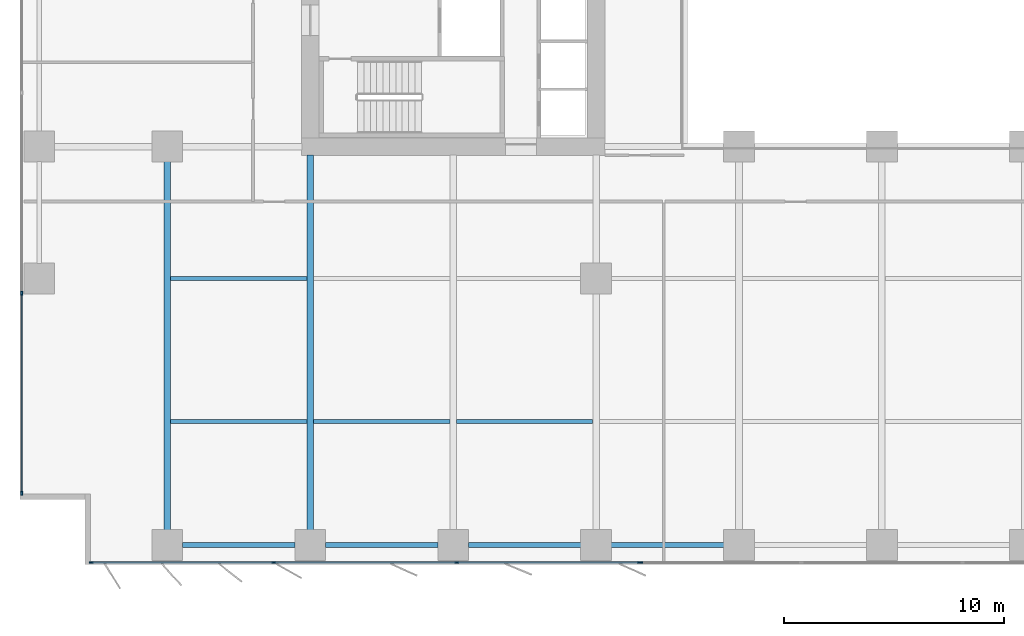
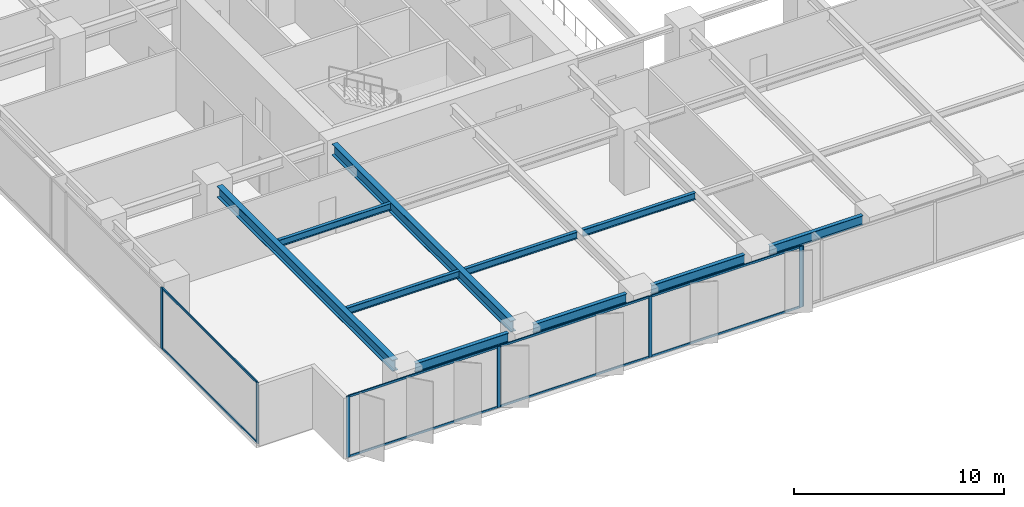
# One storey, part 2 of 20: 15 members, 10 beams, 3 elements without a shape of their own.
"""IFC4 building model written with IfcOpenShell, lengths in metres."""

from ifc_helpers import new_model, si_unit, direction, frame, origin, origin_2d, place, context, subcontext, project, spatial, rectangle, i_section, extrude, material, layer, layer_set, material_profile, profile_set, type_object, element, aggregate, save


model = new_model("IFC4")

# Units and contexts
model_context = context("Model", 3, precision=1e-05, world=origin(), true_north=direction((0.0, 1.0)))
body_context = subcontext(model_context, "Body", "Model", "MODEL_VIEW")
ifc_project = project(units=[si_unit("LENGTHUNIT", "METRE"), si_unit("AREAUNIT", "SQUARE_METRE"), si_unit("VOLUMEUNIT", "CUBIC_METRE"), si_unit("PLANEANGLEUNIT", "RADIAN"), si_unit("MASSUNIT", "GRAM", prefix="KILO")], contexts=[model_context])

# Site, building, storey
site_placement = place(None, origin())
site = spatial("IfcSite", under=ifc_project, at=site_placement, CompositionType="ELEMENT")
building_placement = place(site_placement, origin())
building = spatial("IfcBuilding", under=site, at=building_placement, Name="Putna Gate Headquarters", CompositionType="ELEMENT")
storey_placement = place(building_placement, frame((0.0, 0.0, 50.60009765625)))
storey = spatial("IfcBuildingStorey", under=building, at=storey_placement, Name="L11", CompositionType="ELEMENT", Elevation=50.60009765625)

# Beams
ifc_material_1 = material(Name="Steel S355J2", Category="steel")
ifc_material_profile_1 = material_profile(ifc_material_1, i_section(OverallWidth=0.300048828125, OverallDepth=0.64990234375, WebThickness=0.01611328125, FlangeThickness=0.031005859375, at=origin_2d()), Name="Steel S355J2")
ifc_profile_set_1 = profile_set([ifc_material_profile_1], Name="Steel S355J2")
beam_type_1 = type_object("IfcBeamType", Name="BM-GIRD-Z1-HEB650", PredefinedType="USERDEFINED", material=ifc_profile_set_1)
beam_1_placement = place(storey_placement, frame((6.5, 1.568115234375, 3.224853515625), z_axis=(0.0, 1.0, 0.0), x_axis=(-1.0, 0.0, 0.0)))
element("IfcBeam", 1, at=beam_1_placement, inside=storey, type_object=beam_type_1, Name="L11 South Primary Girder X6", ObjectType="GIRDER", PredefinedType="USERDEFINED", context=body_context, shape_type="SweptSolid", body=[
    extrude(i_section(OverallWidth=0.300048828125, OverallDepth=0.64990234375, WebThickness=0.01611328125, FlangeThickness=0.031005859375, at=origin_2d()), origin(), (0.0, 0.0, 1.0), 16.743896484375),
])
beam_2_placement = place(storey_placement, frame((13.0, 1.568115234375, 3.224853515625), z_axis=(0.0, 1.0, 0.0), x_axis=(-1.0, 0.0, 0.0)))
element("IfcBeam", 2, at=beam_2_placement, inside=storey, type_object=beam_type_1, Name="L11 South Primary Girder X13", ObjectType="GIRDER", PredefinedType="USERDEFINED", context=body_context, shape_type="SweptSolid", body=[
    extrude(i_section(OverallWidth=0.300048828125, OverallDepth=0.64990234375, WebThickness=0.01611328125, FlangeThickness=0.031005859375, at=origin_2d()), origin(), (0.0, 0.0, 1.0), 17.046875),
])
ifc_material_profile_2 = material_profile(ifc_material_1, i_section(OverallWidth=0.179931640625, OverallDepth=0.39990234375, WebThickness=0.008544921875, FlangeThickness=0.013427734375, at=origin_2d()), Name="Steel S355J2")
ifc_profile_set_2 = profile_set([ifc_material_profile_2], Name="Steel S355J2")
beam_type_2 = type_object("IfcBeamType", Name="BM-SEC-Z1-IPE400", PredefinedType="BEAM", material=ifc_profile_set_2)
for number, where, z_axis, x_axis, name in (
    (3, (6.654052734375, 6.5, 3.349853515625), (1.0, 0.0, 0.0), (0.0, 1.0, 0.0), "L11 South Secondary Beam 1"),
    (4, (6.654052734375, 13.0, 3.349853515625), (1.0, 0.0, 0.0), (0.0, 1.0, 0.0), "L11 South Secondary Beam 1"),
    (5, (13.154052734375, 6.5, 3.349853515625), (1.0, 0.0, 0.0), (0.0, 1.0, 0.0), "L11 South Secondary Beam 2"),
    (6, (19.654052734375, 6.5, 3.349853515625), (1.0, 0.0, 0.0), (0.0, 1.0, 0.0), "L11 South Secondary Beam 3"),
):
    element("IfcBeam", number, at=place(storey_placement, frame(where, z_axis=z_axis, x_axis=x_axis)), inside=storey, type_object=beam_type_2, Name=name, PredefinedType="BEAM", context=body_context, shape_type="SweptSolid", body=[
        extrude(i_section(OverallWidth=0.179931640625, OverallDepth=0.39990234375, WebThickness=0.008544921875, FlangeThickness=0.013427734375, at=origin_2d()), origin(), (0.0, 0.0, 1.0), 6.19189453125),
    ])
ifc_material_profile_3 = material_profile(ifc_material_1, i_section(OverallWidth=0.2099609375, OverallDepth=0.550048828125, WebThickness=0.010986328125, FlangeThickness=0.01708984375, at=origin_2d()), Name="Steel S355J2")
ifc_profile_set_3 = profile_set([ifc_material_profile_3], Name="Steel S355J2")
beam_type_3 = type_object("IfcBeamType", Name="BM-SPAN-Z1-IPE550", PredefinedType="SPANDREL", material=ifc_profile_set_3)
for number, where, z_axis, x_axis, name in (
    (7, (7.18798828125, 0.8798828125, 3.27490234375), (1.0, 0.0, 0.0), (0.0, 1.0, 0.0), "L11 S Perimeter Spandrel 1"),
    (8, (13.68798828125, 0.8798828125, 3.27490234375), (1.0, 0.0, 0.0), (0.0, 1.0, 0.0), "L11 S Perimeter Spandrel 2"),
    (9, (20.18798828125, 0.8798828125, 3.27490234375), (1.0, 0.0, 0.0), (0.0, 1.0, 0.0), "L11 S Perimeter Spandrel 3"),
    (10, (26.68798828125, 0.8798828125, 3.27490234375), (1.0, 0.0, 0.0), (0.0, 1.0, 0.0), "L11 S Perimeter Spandrel 4"),
):
    element("IfcBeam", number, at=place(storey_placement, frame(where, z_axis=z_axis, x_axis=x_axis)), inside=storey, type_object=beam_type_3, Name=name, PredefinedType="SPANDREL", context=body_context, shape_type="SweptSolid", body=[
        extrude(i_section(OverallWidth=0.2099609375, OverallDepth=0.550048828125, WebThickness=0.010986328125, FlangeThickness=0.01708984375, at=origin_2d()), origin(), (0.0, 0.0, 1.0), 5.1240234375),
    ])

# Curtain wall, members
ifc_material_2 = material(Name="Anodised bronze aluminium curtain wall", Category="aluminium")
ifc_layer_1 = layer(ifc_material_2, 0.179931640625)
ifc_layer_set_1 = layer_set([ifc_layer_1], Name="Anodised bronze aluminium curtain wall")
curtain_wall_type_1 = type_object("IfcCurtainWallType", Name="CW-SYS-Z1", PredefinedType="USERDEFINED", material=ifc_layer_set_1)
curtain_wall_1_placement = place(storey_placement, origin())
curtain_wall_1 = element("IfcCurtainWall", 11, at=curtain_wall_1_placement, inside=storey, type_object=curtain_wall_type_1, Name="L11 South West Curtain Wall", ObjectType="STICK CURTAIN WALL", PredefinedType="USERDEFINED")
ifc_material_3 = material(Name="Anodised bronze aluminium EN AW-6060", Category="aluminium")
ifc_material_profile_4 = material_profile(ifc_material_3, rectangle(XDim=0.070068359375, YDim=0.179931640625, at=origin_2d()), Name="Anodised bronze aluminium EN AW-6060")
ifc_profile_set_4 = profile_set([ifc_material_profile_4], Name="Anodised bronze aluminium EN AW-6060")
member_type_1 = type_object("IfcMemberType", Name="MULL-CWM-1", PredefinedType="MULLION", material=ifc_profile_set_4)
member_1_placement = place(storey_placement, frame((3.034912109375, 0.080078125, 0.0), z_axis=(0.0, 0.0, 1.0), x_axis=(0.0, 1.0, 0.0)))
member_1 = element("IfcMember", 12, at=member_1_placement, type_object=member_type_1, Name="CWS-1 mullion 1", PredefinedType="MULLION", context=body_context, shape_type="SweptSolid", body=[
    extrude(rectangle(XDim=0.070068359375, YDim=0.179931640625, at=origin_2d()), origin(), (0.0, 0.0, 1.0), 3.5498046875),
])
member_2_placement = place(storey_placement, frame((11.333251953125, 0.080078125, 0.0), z_axis=(0.0, 0.0, 1.0), x_axis=(0.0, 1.0, 0.0)))
member_2 = element("IfcMember", 13, at=member_2_placement, type_object=member_type_1, Name="CWS-1 mullion 2", PredefinedType="MULLION", context=body_context, shape_type="SweptSolid", body=[
    extrude(rectangle(XDim=0.070068359375, YDim=0.179931640625, at=origin_2d()), origin(), (0.0, 0.0, 1.0), 3.5498046875),
])
member_3_placement = place(storey_placement, frame((19.666748046875, 0.080078125, 0.0), z_axis=(0.0, 0.0, 1.0), x_axis=(0.0, 1.0, 0.0)))
member_3 = element("IfcMember", 14, at=member_3_placement, type_object=member_type_1, Name="CWS-1 mullion 3", PredefinedType="MULLION", context=body_context, shape_type="SweptSolid", body=[
    extrude(rectangle(XDim=0.070068359375, YDim=0.179931640625, at=origin_2d()), origin(), (0.0, 0.0, 1.0), 3.5498046875),
])
member_4_placement = place(storey_placement, frame((27.965087890625, 0.080078125, 0.0), z_axis=(0.0, 0.0, 1.0), x_axis=(0.0, 1.0, 0.0)))
member_4 = element("IfcMember", 15, at=member_4_placement, type_object=member_type_1, Name="CWS-1 mullion 4", PredefinedType="MULLION", context=body_context, shape_type="SweptSolid", body=[
    extrude(rectangle(XDim=0.070068359375, YDim=0.179931640625, at=origin_2d()), origin(), (0.0, 0.0, 1.0), 3.5498046875),
])

curtain_wall_2_placement = place(storey_placement, origin())
curtain_wall_2 = element("IfcCurtainWall", 16, at=curtain_wall_2_placement, inside=storey, type_object=curtain_wall_type_1, Name="L11 West Curtain Wall", ObjectType="STICK CURTAIN WALL", PredefinedType="USERDEFINED")
member_5_placement = place(storey_placement, frame((-0.1201171875, 3.235107421875, 0.0), z_axis=(0.0, 0.0, 1.0), x_axis=(-1.0, 0.0, 0.0)))
member_5 = element("IfcMember", 17, at=member_5_placement, type_object=member_type_1, Name="CWS-1 mullion 1", PredefinedType="MULLION", context=body_context, shape_type="SweptSolid", body=[
    extrude(rectangle(XDim=0.070068359375, YDim=0.179931640625, at=origin_2d()), origin(), (0.0, 0.0, 1.0), 3.5498046875),
])
member_6_placement = place(storey_placement, frame((-0.1201171875, 12.320068359375, 0.0), z_axis=(0.0, 0.0, 1.0), x_axis=(-1.0, 0.0, 0.0)))
member_6 = element("IfcMember", 18, at=member_6_placement, type_object=member_type_1, Name="CWS-1 mullion 2", PredefinedType="MULLION", context=body_context, shape_type="SweptSolid", body=[
    extrude(rectangle(XDim=0.070068359375, YDim=0.179931640625, at=origin_2d()), origin(), (0.0, 0.0, 1.0), 3.5498046875),
])

# Curtain wall, member
ifc_layer_2 = layer(ifc_material_2, 0.179931640625)
ifc_layer_set_2 = layer_set([ifc_layer_2], Name="Anodised bronze aluminium curtain wall")
curtain_wall_type_2 = type_object("IfcCurtainWallType", Name="CW-SYS-ATR", PredefinedType="USERDEFINED", material=ifc_layer_set_2)
curtain_wall_3_placement = place(storey_placement, origin())
curtain_wall_3 = element("IfcCurtainWall", 19, at=curtain_wall_3_placement, inside=storey, type_object=curtain_wall_type_2, Name="L11 South Atrium Clear Glazing", ObjectType="ATRIUM GLAZING", PredefinedType="USERDEFINED")
ifc_material_profile_5 = material_profile(ifc_material_3, rectangle(XDim=0.070068359375, YDim=0.179931640625, at=origin_2d()), Name="Anodised bronze aluminium EN AW-6060")
ifc_profile_set_5 = profile_set([ifc_material_profile_5], Name="Anodised bronze aluminium EN AW-6060")
member_type_2 = type_object("IfcMemberType", Name="MULL-CWM-AT", PredefinedType="MULLION", material=ifc_profile_set_5)
member_7_placement = place(storey_placement, frame((28.034912109375, 0.080078125, 0.0), z_axis=(0.0, 0.0, 1.0), x_axis=(0.0, 1.0, 0.0)))
member_7 = element("IfcMember", 20, at=member_7_placement, type_object=member_type_2, Name="CWS-AT mullion 1", PredefinedType="MULLION", context=body_context, shape_type="SweptSolid", body=[
    extrude(rectangle(XDim=0.070068359375, YDim=0.179931640625, at=origin_2d()), origin(), (0.0, 0.0, 1.0), 3.5498046875),
])
aggregate(curtain_wall_3, [member_7])

# Member
ifc_material_profile_6 = material_profile(ifc_material_3, rectangle(XDim=0.06494140625, YDim=0.1201171875, at=origin_2d()), Name="Anodised bronze aluminium EN AW-6060")
ifc_profile_set_6 = profile_set([ifc_material_profile_6], Name="Anodised bronze aluminium EN AW-6060")
member_type_3 = type_object("IfcMemberType", Name="TRAN-CWT-1", PredefinedType="USERDEFINED", material=ifc_profile_set_6)
member_8_placement = place(storey_placement, frame((3.070068359375, 0.080078125, 0.032470703125), z_axis=(1.0, 0.0, 0.0), x_axis=(0.0, 1.0, 0.0)))
member_8 = element("IfcMember", 21, at=member_8_placement, type_object=member_type_3, Name="CWS-1 transom 1.1", ObjectType="TRANSOM", PredefinedType="USERDEFINED", context=body_context, shape_type="SweptSolid", body=[
    extrude(rectangle(XDim=0.06494140625, YDim=0.1201171875, at=origin_2d()), origin(), (0.0, 0.0, 1.0), 8.228271484375),
])

member_9_placement = place(storey_placement, frame((3.070068359375, 0.080078125, 3.517333984375), z_axis=(1.0, 0.0, 0.0), x_axis=(0.0, 1.0, 0.0)))
member_9 = element("IfcMember", 22, at=member_9_placement, type_object=member_type_3, Name="CWS-1 transom 1.2", ObjectType="TRANSOM", PredefinedType="USERDEFINED", context=body_context, shape_type="SweptSolid", body=[
    extrude(rectangle(XDim=0.06494140625, YDim=0.1201171875, at=origin_2d()), origin(), (0.0, 0.0, 1.0), 8.228271484375),
])

member_10_placement = place(storey_placement, frame((11.368408203125, 0.080078125, 0.032470703125), z_axis=(1.0, 0.0, 0.0), x_axis=(0.0, 1.0, 0.0)))
member_10 = element("IfcMember", 23, at=member_10_placement, type_object=member_type_3, Name="CWS-1 transom 2.1", ObjectType="TRANSOM", PredefinedType="USERDEFINED", context=body_context, shape_type="SweptSolid", body=[
    extrude(rectangle(XDim=0.06494140625, YDim=0.1201171875, at=origin_2d()), origin(), (0.0, 0.0, 1.0), 8.26318359375),
])

member_11_placement = place(storey_placement, frame((11.368408203125, 0.080078125, 3.517333984375), z_axis=(1.0, 0.0, 0.0), x_axis=(0.0, 1.0, 0.0)))
member_11 = element("IfcMember", 24, at=member_11_placement, type_object=member_type_3, Name="CWS-1 transom 2.2", ObjectType="TRANSOM", PredefinedType="USERDEFINED", context=body_context, shape_type="SweptSolid", body=[
    extrude(rectangle(XDim=0.06494140625, YDim=0.1201171875, at=origin_2d()), origin(), (0.0, 0.0, 1.0), 8.26318359375),
])

member_12_placement = place(storey_placement, frame((19.70166015625, 0.080078125, 0.032470703125), z_axis=(1.0, 0.0, 0.0), x_axis=(0.0, 1.0, 0.0)))
member_12 = element("IfcMember", 25, at=member_12_placement, type_object=member_type_3, Name="CWS-1 transom 3.1", ObjectType="TRANSOM", PredefinedType="USERDEFINED", context=body_context, shape_type="SweptSolid", body=[
    extrude(rectangle(XDim=0.06494140625, YDim=0.1201171875, at=origin_2d()), origin(), (0.0, 0.0, 1.0), 8.228271484375),
])

member_13_placement = place(storey_placement, frame((19.70166015625, 0.080078125, 3.517333984375), z_axis=(1.0, 0.0, 0.0), x_axis=(0.0, 1.0, 0.0)))
member_13 = element("IfcMember", 26, at=member_13_placement, type_object=member_type_3, Name="CWS-1 transom 3.2", ObjectType="TRANSOM", PredefinedType="USERDEFINED", context=body_context, shape_type="SweptSolid", body=[
    extrude(rectangle(XDim=0.06494140625, YDim=0.1201171875, at=origin_2d()), origin(), (0.0, 0.0, 1.0), 8.228271484375),
])

aggregate(curtain_wall_1, [member_1, member_2, member_3, member_4, member_8, member_9, member_10, member_11, member_12, member_13])

member_14_placement = place(storey_placement, frame((-0.1201171875, 3.27001953125, 0.032470703125), z_axis=(0.0, 1.0, 0.0), x_axis=(-1.0, 0.0, 0.0)))
member_14 = element("IfcMember", 27, at=member_14_placement, type_object=member_type_3, Name="CWS-1 transom 1.1", ObjectType="TRANSOM", PredefinedType="USERDEFINED", context=body_context, shape_type="SweptSolid", body=[
    extrude(rectangle(XDim=0.06494140625, YDim=0.1201171875, at=origin_2d()), origin(), (0.0, 0.0, 1.0), 9.014892578125),
])

member_15_placement = place(storey_placement, frame((-0.1201171875, 3.27001953125, 3.517333984375), z_axis=(0.0, 1.0, 0.0), x_axis=(-1.0, 0.0, 0.0)))
member_15 = element("IfcMember", 28, at=member_15_placement, type_object=member_type_3, Name="CWS-1 transom 1.2", ObjectType="TRANSOM", PredefinedType="USERDEFINED", context=body_context, shape_type="SweptSolid", body=[
    extrude(rectangle(XDim=0.06494140625, YDim=0.1201171875, at=origin_2d()), origin(), (0.0, 0.0, 1.0), 9.014892578125),
])

aggregate(curtain_wall_2, [member_5, member_6, member_14, member_15])

save(model, "model.ifc")
